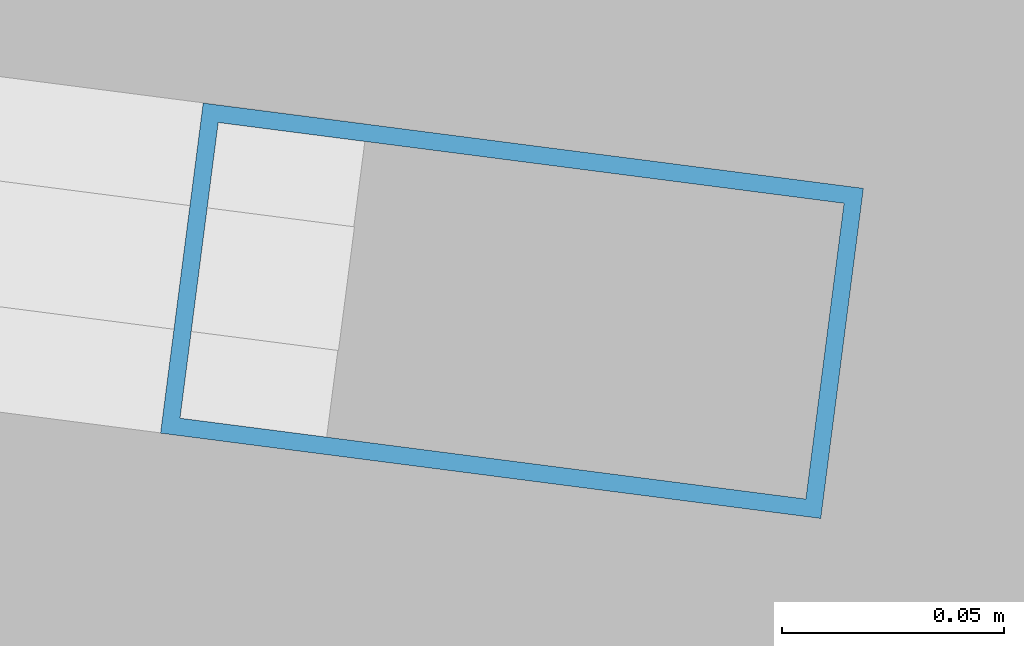
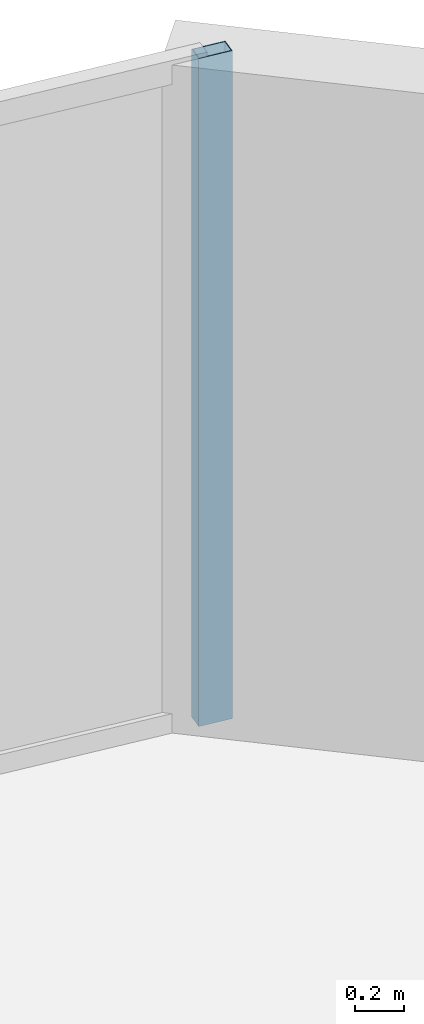
# One storey, part 19 of 31: 1 member, 1 element without a shape of its own.
"""IFC4 building model written with IfcOpenShell, lengths in metres."""

from ifc_helpers import new_model, si_unit, direction, frame, origin, origin_2d, place, context, subcontext, project, spatial, hollow_rectangle, extrude, material, layer, layer_set, material_profile, profile_set, type_object, element, aggregate, save


model = new_model("IFC4")

# Units and contexts
model_context = context("Model", 3, precision=1e-05, world=origin(), true_north=direction((0.0, 1.0)))
body_context = subcontext(model_context, "Body", "Model", "MODEL_VIEW")
ifc_project = project(units=[si_unit("LENGTHUNIT", "METRE"), si_unit("AREAUNIT", "SQUARE_METRE"), si_unit("VOLUMEUNIT", "CUBIC_METRE"), si_unit("PLANEANGLEUNIT", "RADIAN"), si_unit("MASSUNIT", "GRAM", prefix="KILO")], contexts=[model_context])

# Site, building, storey
site_placement = place(None, origin())
site = spatial("IfcSite", under=ifc_project, at=site_placement, CompositionType="ELEMENT")
building_placement = place(site_placement, origin())
building = spatial("IfcBuilding", under=site, at=building_placement, Name="Kazevale Care Tower and Concert Hall", CompositionType="ELEMENT")
storey_placement = place(building_placement, frame((0.0, 0.0, 60.0)))
storey = spatial("IfcBuildingStorey", under=building, at=storey_placement, Name="L15", CompositionType="ELEMENT", Elevation=60.0)

# Curtain wall, member
ifc_material_1 = material(Name="Aluminium 6063-T6 and Low-E Glass", Category="aluminium")
ifc_layer = layer(ifc_material_1, 0.179931640625)
ifc_layer_set = layer_set([ifc_layer], Name="Aluminium 6063-T6 and Low-E Glass")
curtain_wall_type = type_object("IfcCurtainWallType", Name="Convex Recessed Sunroom Curtain Wall CW-3", PredefinedType="NOTDEFINED", material=ifc_layer_set)
curtain_wall_placement = place(storey_placement, origin())
curtain_wall = element("IfcCurtainWall", 1, at=curtain_wall_placement, inside=storey, type_object=curtain_wall_type, Name="cw:L15:f16", PredefinedType="NOTDEFINED")
ifc_material_2 = material(Name="Aluminium 6063-T6", Category="aluminium")
ifc_material_profile = material_profile(ifc_material_2, hollow_rectangle(XDim=0.074951171875, YDim=0.14990234375, WallThickness=0.00390625, at=origin_2d()), Name="ALU75x150x4")
ifc_profile_set = profile_set([ifc_material_profile], Name="Aluminium 6063-T6")
member_type = type_object("IfcMemberType", Name="CW-3 Mullion ALU75x150x4", PredefinedType="MULLION", material=ifc_profile_set)
member_placement = place(storey_placement, frame((65.0029296875, 62.84375, 0.0), z_axis=(0.0, 0.0, 1.0), x_axis=(0.128086196538, 0.991763039368, 0.0)))
member = element("IfcMember", 2, at=member_placement, type_object=member_type, Name="CW-3 mullion 2", PredefinedType="MULLION", context=body_context, shape_type="SweptSolid", body=[
    extrude(hollow_rectangle(XDim=0.074951171875, YDim=0.14990234375, WallThickness=0.00390625, at=origin_2d()), origin(), (0.0, 0.0, 1.0), 3.360107421875),
])
aggregate(curtain_wall, [member])

save(model, "model.ifc")
